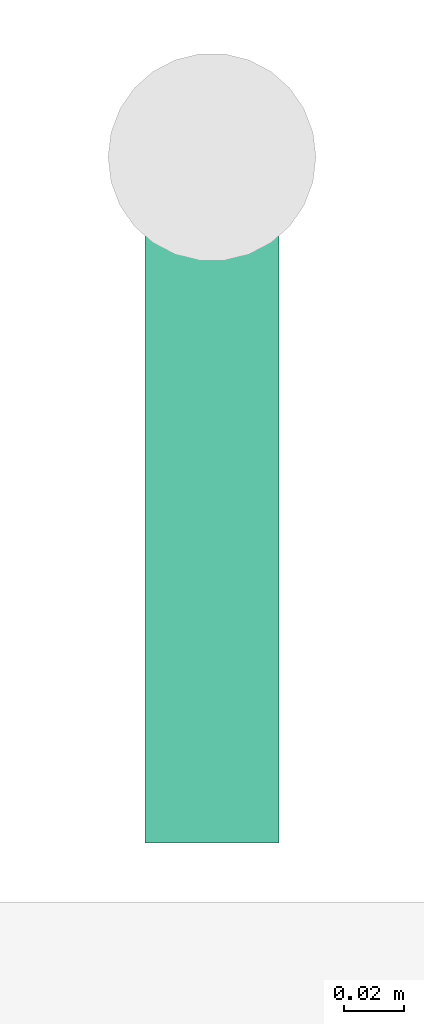
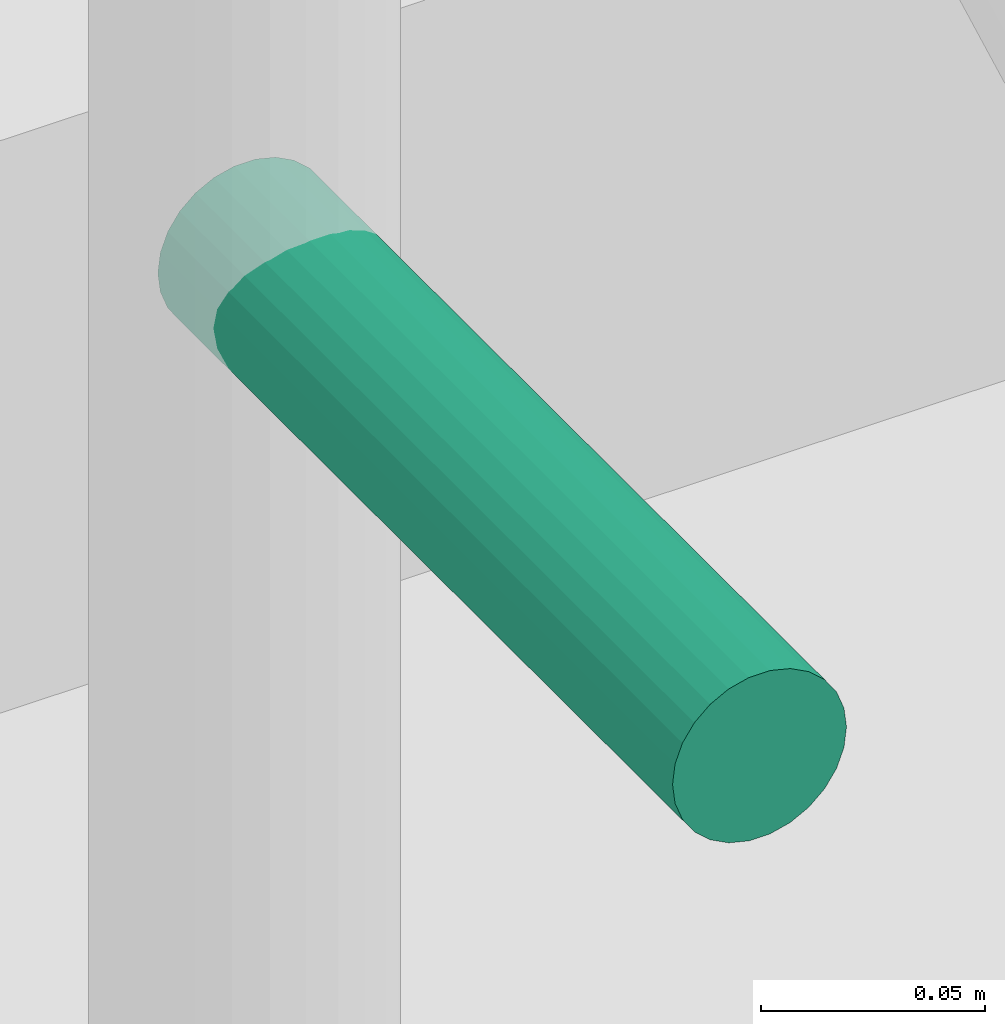
# One storey, part 36 of 36: 1 pipe fitting.
"""IFC4 building model written with IfcOpenShell, lengths in metres."""

from ifc_helpers import new_model, si_unit, direction, frame, origin, origin_2d, place, context, subcontext, project, spatial, circle, extrude, element, save


model = new_model("IFC4")

# Units and contexts
model_context = context("Model", 3, precision=1e-05, world=origin(), true_north=direction((0.0, 1.0)))
body_context = subcontext(model_context, "Body", "Model", "MODEL_VIEW")
ifc_project = project(units=[si_unit("LENGTHUNIT", "METRE"), si_unit("AREAUNIT", "SQUARE_METRE"), si_unit("VOLUMEUNIT", "CUBIC_METRE"), si_unit("PLANEANGLEUNIT", "RADIAN"), si_unit("MASSUNIT", "GRAM", prefix="KILO")], contexts=[model_context])

# Site, building, storey
site_placement = place(None, origin())
site = spatial("IfcSite", under=ifc_project, at=site_placement, CompositionType="ELEMENT")
building_placement = place(site_placement, origin())
building = spatial("IfcBuilding", under=site, at=building_placement, Name="Nzadi Deep Aquarium and Research Tower", CompositionType="ELEMENT")
storey_placement = place(building_placement, frame((0.0, 0.0, 14.199951171875)))
storey = spatial("IfcBuildingStorey", under=building, at=storey_placement, Name="L02", CompositionType="ELEMENT", Elevation=14.199951171875)

# Pipe fitting
pipe_fitting_placement = place(storey_placement, frame((55.300048828125, 116.360107421875, 1.10009765625), z_axis=(0.0, -1.0, 0.0), x_axis=(1.0, 0.0, 0.0)))
element("IfcPipeFitting", 1, at=pipe_fitting_placement, inside=storey, Name="Dry riser outlet ST-Z3-E L02", PredefinedType="EXIT", context=body_context, shape_type="SweptSolid", body=[
    extrude(circle(Radius=0.0224609375, at=origin_2d()), origin(), (0.0, 0.0, 1.0), 0.230224609375),
])

save(model, "model.ifc")
